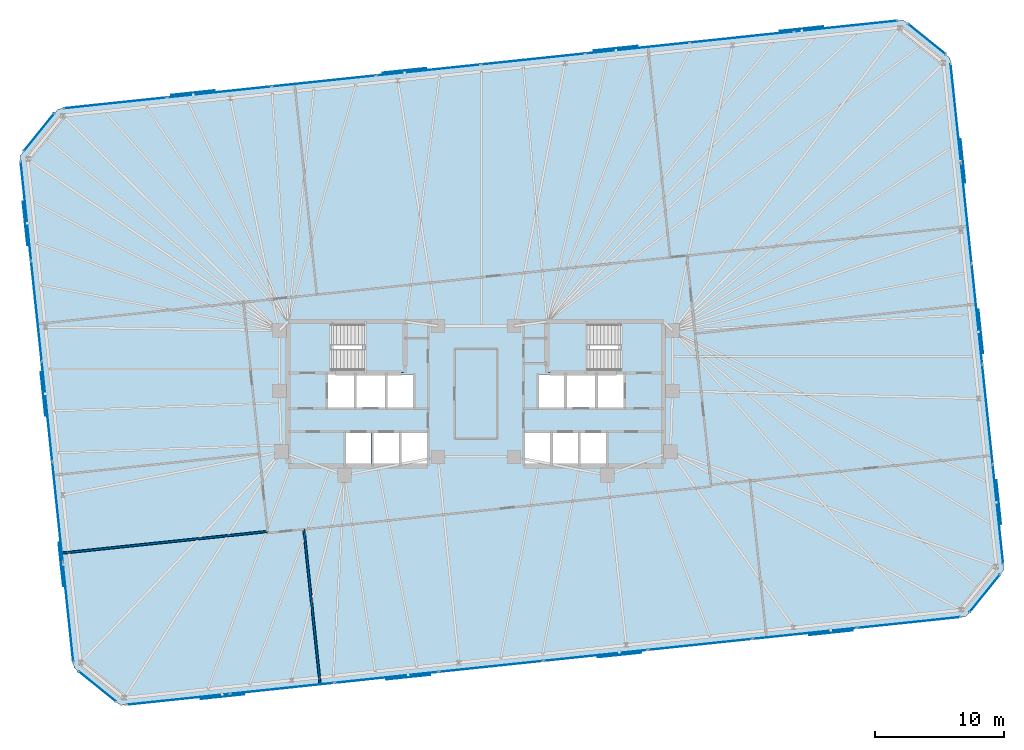
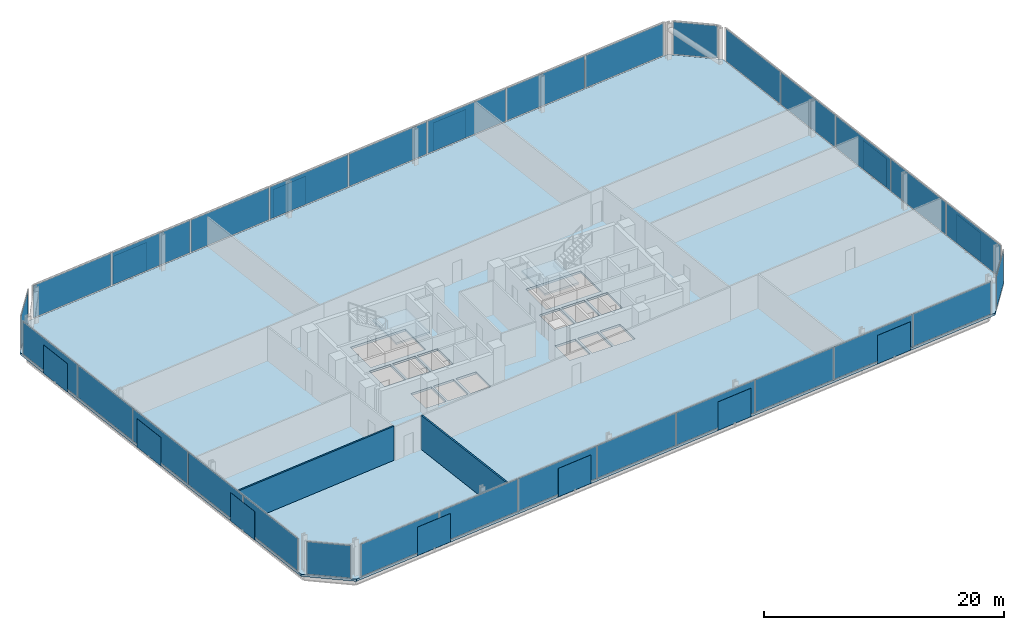
# One storey, part 13 of 18: 44 plates, 3 slabs, 2 walls, 10 elements without a shape of their own.
"""IFC4 building model written with IfcOpenShell, lengths in metres."""

from ifc_helpers import new_model, si_unit, direction, frame, frame_2d, origin, origin_2d, place, context, subcontext, project, spatial, polyline, rectangle, outline, extrude, material, layer, layer_set, type_object, element, aggregate, save


model = new_model("IFC4")

# Units and contexts
model_context = context("Model", 3, precision=1e-05, world=origin(), true_north=direction((0.0, 1.0)))
body_context = subcontext(model_context, "Body", "Model", "MODEL_VIEW")
ifc_project = project(units=[si_unit("LENGTHUNIT", "METRE"), si_unit("AREAUNIT", "SQUARE_METRE"), si_unit("VOLUMEUNIT", "CUBIC_METRE"), si_unit("PLANEANGLEUNIT", "RADIAN"), si_unit("MASSUNIT", "GRAM", prefix="KILO")], contexts=[model_context])

# Site, building, storey
site_placement = place(None, origin())
site = spatial("IfcSite", under=ifc_project, at=site_placement, CompositionType="ELEMENT")
building_placement = place(site_placement, origin())
building = spatial("IfcBuilding", under=site, at=building_placement, Name="Menara Jurai Vektor", CompositionType="ELEMENT")
storey_placement = place(building_placement, frame((0.0, 0.0, 91.10009765625)))
storey = spatial("IfcBuildingStorey", under=building, at=storey_placement, Name="L22", CompositionType="ELEMENT", Elevation=91.10009765625)

# Curtain wall, plates
ifc_material_1 = material(Name="Anodised Pale Aluminium & Low-E Double Glazing", Category="aluminium")
curtain_wall_type = type_object("IfcCurtainWallType", Name="CW-BLK2", PredefinedType="NOTDEFINED", material=ifc_material_1)
curtain_wall_1_placement = place(storey_placement, origin())
curtain_wall_1 = element("IfcCurtainWall", 1, at=curtain_wall_1_placement, inside=storey, type_object=curtain_wall_type, Name="Unitised Curtain Wall L22 F01", PredefinedType="NOTDEFINED")
ifc_material_2 = material(Name="Low-E Solar-Control Double Glazed Unit", Category="glass")
ifc_layer_1 = layer(ifc_material_2, 0.033935546875)
ifc_layer_set_1 = layer_set([ifc_layer_1], Name="Low-E Solar-Control Double Glazed Unit")
plate_type_1 = type_object("IfcPlateType", Name="CW-BLK2-PNL", PredefinedType="CURTAIN_PANEL", material=ifc_layer_set_1)
plate_1_placement = place(storey_placement, frame((-23.090087890625, -23.69921875, 0.08984375), z_axis=(0.0, 0.0, 1.0), x_axis=(0.994521877325, 0.104528634935, 0.0)))
plate_1 = element("IfcPlate", 2, at=plate_1_placement, type_object=plate_type_1, Name="CW-02 panel 1.1", PredefinedType="CURTAIN_PANEL", context=body_context, shape_type="SweptSolid", body=[
    extrude(rectangle(XDim=8.007568359375, YDim=0.033935546875, at=origin_2d()), origin(), (0.0, 0.0, 1.0), 3.294921875),
])
plate_2_placement = place(storey_placement, frame((-15.014404296875, -22.850341796875, 0.08984375), z_axis=(0.0, 0.0, 1.0), x_axis=(0.994521877325, 0.104528634935, 0.0)))
plate_2 = element("IfcPlate", 3, at=plate_2_placement, type_object=plate_type_1, Name="CW-02 panel 2.1", PredefinedType="CURTAIN_PANEL", context=body_context, shape_type="SweptSolid", body=[
    extrude(rectangle(XDim=8.052490234375, YDim=0.033935546875, at=origin_2d()), origin(), (0.0, 0.0, 1.0), 3.294921875),
])
plate_3_placement = place(storey_placement, frame((-6.91650390625, -21.999267578125, 0.08984375), z_axis=(0.0, 0.0, 1.0), x_axis=(0.994521877325, 0.104528634935, 0.0)))
plate_3 = element("IfcPlate", 4, at=plate_3_placement, type_object=plate_type_1, Name="CW-02 panel 3.1", PredefinedType="CURTAIN_PANEL", context=body_context, shape_type="SweptSolid", body=[
    extrude(rectangle(XDim=8.052490234375, YDim=0.033935546875, at=origin_2d()), origin(), (0.0, 0.0, 1.0), 3.294921875),
])
plate_4_placement = place(storey_placement, frame((1.181396484375, -21.148193359375, 0.08984375), z_axis=(0.0, 0.0, 1.0), x_axis=(0.994521877325, 0.104528634935, 0.0)))
plate_4 = element("IfcPlate", 5, at=plate_4_placement, type_object=plate_type_1, Name="CW-02 panel 4.1", PredefinedType="CURTAIN_PANEL", context=body_context, shape_type="SweptSolid", body=[
    extrude(rectangle(XDim=8.052490234375, YDim=0.033935546875, at=origin_2d()), origin(), (0.0, 0.0, 1.0), 3.294921875),
])
plate_5_placement = place(storey_placement, frame((9.279296875, -20.297119140625, 0.08984375), z_axis=(0.0, 0.0, 1.0), x_axis=(0.994521877325, 0.104528634935, 0.0)))
plate_5 = element("IfcPlate", 6, at=plate_5_placement, type_object=plate_type_1, Name="CW-02 panel 5.1", PredefinedType="CURTAIN_PANEL", context=body_context, shape_type="SweptSolid", body=[
    extrude(rectangle(XDim=8.052490234375, YDim=0.033935546875, at=origin_2d()), origin(), (0.0, 0.0, 1.0), 3.294921875),
])
plate_6_placement = place(storey_placement, frame((17.377197265625, -19.44580078125, 0.08984375), z_axis=(0.0, 0.0, 1.0), x_axis=(0.994521877325, 0.104528634935, 0.0)))
plate_6 = element("IfcPlate", 7, at=plate_6_placement, type_object=plate_type_1, Name="CW-02 panel 6.1", PredefinedType="CURTAIN_PANEL", context=body_context, shape_type="SweptSolid", body=[
    extrude(rectangle(XDim=8.052490234375, YDim=0.033935546875, at=origin_2d()), origin(), (0.0, 0.0, 1.0), 3.294921875),
])
plate_7_placement = place(storey_placement, frame((25.47509765625, -18.5947265625, 0.08984375), z_axis=(0.0, 0.0, 1.0), x_axis=(0.994521877325, 0.104528634935, 0.0)))
plate_7 = element("IfcPlate", 8, at=plate_7_placement, type_object=plate_type_1, Name="CW-02 panel 7.1", PredefinedType="CURTAIN_PANEL", context=body_context, shape_type="SweptSolid", body=[
    extrude(rectangle(XDim=8.052490234375, YDim=0.033935546875, at=origin_2d()), origin(), (0.0, 0.0, 1.0), 3.294921875),
])
plate_8_placement = place(storey_placement, frame((33.550537109375, -17.74609375, 0.08984375), z_axis=(0.0, 0.0, 1.0), x_axis=(0.994521877325, 0.104528634935, 0.0)))
plate_8 = element("IfcPlate", 9, at=plate_8_placement, type_object=plate_type_1, Name="CW-02 panel 8.1", PredefinedType="CURTAIN_PANEL", context=body_context, shape_type="SweptSolid", body=[
    extrude(rectangle(XDim=8.007568359375, YDim=0.033935546875, at=origin_2d()), origin(), (0.0, 0.0, 1.0), 3.294921875),
])
aggregate(curtain_wall_1, [plate_1, plate_2, plate_3, plate_4, plate_5, plate_6, plate_7, plate_8])

curtain_wall_2_placement = place(storey_placement, origin())
curtain_wall_2 = element("IfcCurtainWall", 10, at=curtain_wall_2_placement, inside=storey, type_object=curtain_wall_type, Name="Unitised Curtain Wall L22 F03", PredefinedType="NOTDEFINED")
plate_9_placement = place(storey_placement, frame((40.485595703125, -9.358642578125, 0.08984375), z_axis=(0.0, 0.0, 1.0), x_axis=(-0.104529576902, 0.99452177832, 0.0)))
plate_9 = element("IfcPlate", 11, at=plate_9_placement, type_object=plate_type_1, Name="CW-02 panel 1.1", PredefinedType="CURTAIN_PANEL", context=body_context, shape_type="SweptSolid", body=[
    extrude(rectangle(XDim=7.693115234375, YDim=0.033935546875, at=origin_2d()), origin(), (0.0, 0.0, 1.0), 3.294921875),
])
plate_10_placement = place(storey_placement, frame((39.669677734375, -1.595947265625, 0.08984375), z_axis=(0.0, 0.0, 1.0), x_axis=(-0.104529576902, 0.99452177832, 0.0)))
plate_10 = element("IfcPlate", 12, at=plate_10_placement, type_object=plate_type_1, Name="CW-02 panel 2.1", PredefinedType="CURTAIN_PANEL", context=body_context, shape_type="SweptSolid", body=[
    extrude(rectangle(XDim=7.738037109375, YDim=0.033935546875, at=origin_2d()), origin(), (0.0, 0.0, 1.0), 3.294921875),
])
plate_11_placement = place(storey_placement, frame((38.8515625, 6.189208984375, 0.08984375), z_axis=(0.0, 0.0, 1.0), x_axis=(-0.104529576902, 0.99452177832, 0.0)))
plate_11 = element("IfcPlate", 13, at=plate_11_placement, type_object=plate_type_1, Name="CW-02 panel 3.1", PredefinedType="CURTAIN_PANEL", context=body_context, shape_type="SweptSolid", body=[
    extrude(rectangle(XDim=7.738037109375, YDim=0.033935546875, at=origin_2d()), origin(), (0.0, 0.0, 1.0), 3.294921875),
])
plate_12_placement = place(storey_placement, frame((38.033203125, 13.974365234375, 0.08984375), z_axis=(0.0, 0.0, 1.0), x_axis=(-0.104529576902, 0.99452177832, 0.0)))
plate_12 = element("IfcPlate", 14, at=plate_12_placement, type_object=plate_type_1, Name="CW-02 panel 4.1", PredefinedType="CURTAIN_PANEL", context=body_context, shape_type="SweptSolid", body=[
    extrude(rectangle(XDim=7.738037109375, YDim=0.033935546875, at=origin_2d()), origin(), (0.0, 0.0, 1.0), 3.294921875),
])
plate_13_placement = place(storey_placement, frame((37.21728515625, 21.737060546875, 0.08984375), z_axis=(0.0, 0.0, 1.0), x_axis=(-0.104529576902, 0.99452177832, 0.0)))
plate_13 = element("IfcPlate", 15, at=plate_13_placement, type_object=plate_type_1, Name="CW-02 panel 5.1", PredefinedType="CURTAIN_PANEL", context=body_context, shape_type="SweptSolid", body=[
    extrude(rectangle(XDim=7.693115234375, YDim=0.033935546875, at=origin_2d()), origin(), (0.0, 0.0, 1.0), 3.294921875),
])
aggregate(curtain_wall_2, [plate_9, plate_10, plate_11, plate_12, plate_13])

curtain_wall_3_placement = place(storey_placement, origin())
curtain_wall_3 = element("IfcCurtainWall", 16, at=curtain_wall_3_placement, inside=storey, type_object=curtain_wall_type, Name="Unitised Curtain Wall L22 F05", PredefinedType="NOTDEFINED")
plate_14_placement = place(storey_placement, frame((28.68994140625, 28.499267578125, 0.08984375), z_axis=(0.0, 0.0, 1.0), x_axis=(-0.994521877325, -0.104528634935, 0.0)))
plate_14 = element("IfcPlate", 17, at=plate_14_placement, type_object=plate_type_1, Name="CW-02 panel 1.1", PredefinedType="CURTAIN_PANEL", context=body_context, shape_type="SweptSolid", body=[
    extrude(rectangle(XDim=8.007568359375, YDim=0.033935546875, at=origin_2d()), origin(), (0.0, 0.0, 1.0), 3.294921875),
])
plate_15_placement = place(storey_placement, frame((20.614501953125, 27.650390625, 0.08984375), z_axis=(0.0, 0.0, 1.0), x_axis=(-0.994521877325, -0.104528634935, 0.0)))
plate_15 = element("IfcPlate", 18, at=plate_15_placement, type_object=plate_type_1, Name="CW-02 panel 2.1", PredefinedType="CURTAIN_PANEL", context=body_context, shape_type="SweptSolid", body=[
    extrude(rectangle(XDim=8.052490234375, YDim=0.033935546875, at=origin_2d()), origin(), (0.0, 0.0, 1.0), 3.294921875),
])
plate_16_placement = place(storey_placement, frame((12.5166015625, 26.79931640625, 0.08984375), z_axis=(0.0, 0.0, 1.0), x_axis=(-0.994521877325, -0.104528634935, 0.0)))
plate_16 = element("IfcPlate", 19, at=plate_16_placement, type_object=plate_type_1, Name="CW-02 panel 3.1", PredefinedType="CURTAIN_PANEL", context=body_context, shape_type="SweptSolid", body=[
    extrude(rectangle(XDim=8.052490234375, YDim=0.033935546875, at=origin_2d()), origin(), (0.0, 0.0, 1.0), 3.294921875),
])
plate_17_placement = place(storey_placement, frame((4.418701171875, 25.9482421875, 0.08984375), z_axis=(0.0, 0.0, 1.0), x_axis=(-0.994521877325, -0.104528634935, 0.0)))
plate_17 = element("IfcPlate", 20, at=plate_17_placement, type_object=plate_type_1, Name="CW-02 panel 4.1", PredefinedType="CURTAIN_PANEL", context=body_context, shape_type="SweptSolid", body=[
    extrude(rectangle(XDim=8.052490234375, YDim=0.033935546875, at=origin_2d()), origin(), (0.0, 0.0, 1.0), 3.294921875),
])
plate_18_placement = place(storey_placement, frame((-3.67919921875, 25.096923828125, 0.08984375), z_axis=(0.0, 0.0, 1.0), x_axis=(-0.994521877325, -0.104528634935, 0.0)))
plate_18 = element("IfcPlate", 21, at=plate_18_placement, type_object=plate_type_1, Name="CW-02 panel 5.1", PredefinedType="CURTAIN_PANEL", context=body_context, shape_type="SweptSolid", body=[
    extrude(rectangle(XDim=8.052490234375, YDim=0.033935546875, at=origin_2d()), origin(), (0.0, 0.0, 1.0), 3.294921875),
])
plate_19_placement = place(storey_placement, frame((-11.777099609375, 24.245849609375, 0.08984375), z_axis=(0.0, 0.0, 1.0), x_axis=(-0.994521877325, -0.104528634935, 0.0)))
plate_19 = element("IfcPlate", 22, at=plate_19_placement, type_object=plate_type_1, Name="CW-02 panel 6.1", PredefinedType="CURTAIN_PANEL", context=body_context, shape_type="SweptSolid", body=[
    extrude(rectangle(XDim=8.052490234375, YDim=0.033935546875, at=origin_2d()), origin(), (0.0, 0.0, 1.0), 3.294921875),
])
plate_20_placement = place(storey_placement, frame((-19.875, 23.394775390625, 0.08984375), z_axis=(0.0, 0.0, 1.0), x_axis=(-0.994521877325, -0.104528634935, 0.0)))
plate_20 = element("IfcPlate", 23, at=plate_20_placement, type_object=plate_type_1, Name="CW-02 panel 7.1", PredefinedType="CURTAIN_PANEL", context=body_context, shape_type="SweptSolid", body=[
    extrude(rectangle(XDim=8.052490234375, YDim=0.033935546875, at=origin_2d()), origin(), (0.0, 0.0, 1.0), 3.294921875),
])
plate_21_placement = place(storey_placement, frame((-27.95068359375, 22.5458984375, 0.08984375), z_axis=(0.0, 0.0, 1.0), x_axis=(-0.994521877325, -0.104528634935, 0.0)))
plate_21 = element("IfcPlate", 24, at=plate_21_placement, type_object=plate_type_1, Name="CW-02 panel 8.1", PredefinedType="CURTAIN_PANEL", context=body_context, shape_type="SweptSolid", body=[
    extrude(rectangle(XDim=8.007568359375, YDim=0.033935546875, at=origin_2d()), origin(), (0.0, 0.0, 1.0), 3.294921875),
])
aggregate(curtain_wall_3, [plate_14, plate_15, plate_16, plate_17, plate_18, plate_19, plate_20, plate_21])

curtain_wall_4_placement = place(storey_placement, origin())
curtain_wall_4 = element("IfcCurtainWall", 25, at=curtain_wall_4_placement, inside=storey, type_object=curtain_wall_type, Name="Unitised Curtain Wall L22 F07", PredefinedType="NOTDEFINED")
plate_22_placement = place(storey_placement, frame((-34.885498046875, 14.15869140625, 0.08984375), z_axis=(0.0, 0.0, 1.0), x_axis=(0.104529576902, -0.99452177832, 0.0)))
plate_22 = element("IfcPlate", 26, at=plate_22_placement, type_object=plate_type_1, Name="CW-02 panel 1.1", PredefinedType="CURTAIN_PANEL", context=body_context, shape_type="SweptSolid", body=[
    extrude(rectangle(XDim=7.693115234375, YDim=0.033935546875, at=origin_2d()), origin(), (0.0, 0.0, 1.0), 3.294921875),
])
plate_23_placement = place(storey_placement, frame((-34.06982421875, 6.39599609375, 0.08984375), z_axis=(0.0, 0.0, 1.0), x_axis=(0.104529576902, -0.99452177832, 0.0)))
plate_23 = element("IfcPlate", 27, at=plate_23_placement, type_object=plate_type_1, Name="CW-02 panel 2.1", PredefinedType="CURTAIN_PANEL", context=body_context, shape_type="SweptSolid", body=[
    extrude(rectangle(XDim=7.738037109375, YDim=0.033935546875, at=origin_2d()), origin(), (0.0, 0.0, 1.0), 3.294921875),
])
plate_24_placement = place(storey_placement, frame((-33.25146484375, -1.38916015625, 0.08984375), z_axis=(0.0, 0.0, 1.0), x_axis=(0.104529576902, -0.99452177832, 0.0)))
plate_24 = element("IfcPlate", 28, at=plate_24_placement, type_object=plate_type_1, Name="CW-02 panel 3.1", PredefinedType="CURTAIN_PANEL", context=body_context, shape_type="SweptSolid", body=[
    extrude(rectangle(XDim=7.738037109375, YDim=0.033935546875, at=origin_2d()), origin(), (0.0, 0.0, 1.0), 3.294921875),
])
plate_25_placement = place(storey_placement, frame((-32.43310546875, -9.17431640625, 0.08984375), z_axis=(0.0, 0.0, 1.0), x_axis=(0.104529576902, -0.99452177832, 0.0)))
plate_25 = element("IfcPlate", 29, at=plate_25_placement, type_object=plate_type_1, Name="CW-02 panel 4.1", PredefinedType="CURTAIN_PANEL", context=body_context, shape_type="SweptSolid", body=[
    extrude(rectangle(XDim=7.738037109375, YDim=0.033935546875, at=origin_2d()), origin(), (0.0, 0.0, 1.0), 3.294921875),
])
plate_26_placement = place(storey_placement, frame((-31.6171875, -16.93701171875, 0.08984375), z_axis=(0.0, 0.0, 1.0), x_axis=(0.104529576902, -0.99452177832, 0.0)))
plate_26 = element("IfcPlate", 30, at=plate_26_placement, type_object=plate_type_1, Name="CW-02 panel 5.1", PredefinedType="CURTAIN_PANEL", context=body_context, shape_type="SweptSolid", body=[
    extrude(rectangle(XDim=7.693115234375, YDim=0.033935546875, at=origin_2d()), origin(), (0.0, 0.0, 1.0), 3.294921875),
])
aggregate(curtain_wall_4, [plate_22, plate_23, plate_24, plate_25, plate_26])

# Curtain wall, plate
curtain_wall_5_placement = place(storey_placement, origin())
curtain_wall_5 = element("IfcCurtainWall", 31, at=curtain_wall_5_placement, inside=storey, type_object=curtain_wall_type, Name="Unitised Curtain Wall L22 F02", PredefinedType="NOTDEFINED")
ifc_material_3 = material(Name="Insulated Pale Aluminium Spandrel Panel", Category="aluminium")
ifc_layer_2 = layer(ifc_material_3, 0.06005859375)
ifc_layer_set_2 = layer_set([ifc_layer_2], Name="Insulated Pale Aluminium Spandrel Panel")
plate_type_2 = type_object("IfcPlateType", Name="CW-PNL-SP", PredefinedType="CURTAIN_PANEL", material=ifc_layer_set_2)
plate_27_placement = place(storey_placement, frame((39.46826171875, -15.465087890625, 0.08984375), z_axis=(0.0, 0.0, 1.0), x_axis=(0.62934106172, 0.777129222223, 0.0)))
plate_27 = element("IfcPlate", 32, at=plate_27_placement, type_object=plate_type_2, Name="CW-02 panel 1.1", PredefinedType="CURTAIN_PANEL", context=body_context, shape_type="SweptSolid", body=[
    extrude(rectangle(XDim=3.72705078125, YDim=0.06005859375, at=origin_2d()), origin(), (0.0, 0.0, 1.0), 3.294921875),
])
aggregate(curtain_wall_5, [plate_27])

curtain_wall_6_placement = place(storey_placement, origin())
curtain_wall_6 = element("IfcCurtainWall", 33, at=curtain_wall_6_placement, inside=storey, type_object=curtain_wall_type, Name="Unitised Curtain Wall L22 F04", PredefinedType="NOTDEFINED")
plate_28_placement = place(storey_placement, frame((34.95263671875, 27.498291015625, 0.08984375), z_axis=(0.0, 0.0, 1.0), x_axis=(-0.777151877437, 0.629313085353, 0.0)))
plate_28 = element("IfcPlate", 34, at=plate_28_placement, type_object=plate_type_2, Name="CW-02 panel 1.1", PredefinedType="CURTAIN_PANEL", context=body_context, shape_type="SweptSolid", body=[
    extrude(rectangle(XDim=3.72705078125, YDim=0.06005859375, at=origin_2d()), origin(), (0.0, 0.0, 1.0), 3.294921875),
])
aggregate(curtain_wall_6, [plate_28])

curtain_wall_7_placement = place(storey_placement, origin())
curtain_wall_7 = element("IfcCurtainWall", 35, at=curtain_wall_7_placement, inside=storey, type_object=curtain_wall_type, Name="Unitised Curtain Wall L22 F06", PredefinedType="NOTDEFINED")
plate_29_placement = place(storey_placement, frame((-33.868408203125, 20.264892578125, 0.08984375), z_axis=(0.0, 0.0, 1.0), x_axis=(-0.62934106172, -0.777129222223, 0.0)))
plate_29 = element("IfcPlate", 36, at=plate_29_placement, type_object=plate_type_2, Name="CW-02 panel 1.1", PredefinedType="CURTAIN_PANEL", context=body_context, shape_type="SweptSolid", body=[
    extrude(rectangle(XDim=3.72705078125, YDim=0.06005859375, at=origin_2d()), origin(), (0.0, 0.0, 1.0), 3.294921875),
])
aggregate(curtain_wall_7, [plate_29])

curtain_wall_8_placement = place(storey_placement, origin())
curtain_wall_8 = element("IfcCurtainWall", 37, at=curtain_wall_8_placement, inside=storey, type_object=curtain_wall_type, Name="Unitised Curtain Wall L22 F08", PredefinedType="NOTDEFINED")
plate_30_placement = place(storey_placement, frame((-29.3525390625, -22.6982421875, 0.08984375), z_axis=(0.0, 0.0, 1.0), x_axis=(0.777151877437, -0.629313085353, 0.0)))
plate_30 = element("IfcPlate", 38, at=plate_30_placement, type_object=plate_type_2, Name="CW-02 panel 1.1", PredefinedType="CURTAIN_PANEL", context=body_context, shape_type="SweptSolid", body=[
    extrude(rectangle(XDim=3.72705078125, YDim=0.06005859375, at=origin_2d()), origin(), (0.0, 0.0, 1.0), 3.294921875),
])
aggregate(curtain_wall_8, [plate_30])

# Plates
ifc_material_4 = material(Name="Anodised Pale Aluminium Perforated Screen", Category="aluminium")
ifc_layer_3 = layer(ifc_material_4, 0.02392578125)
ifc_layer_set_3 = layer_set([ifc_layer_3], Name="Anodised Pale Aluminium Perforated Screen")
plate_type_3 = type_object("IfcPlateType", Name="ENV-PLT-SCREEN", PredefinedType="USERDEFINED", material=ifc_layer_set_3)
for number, where, z_axis, x_axis, name in (
    (39, (-19.65771484375, -23.499267578125, -0.050048828125), (0.0, 0.0, 1.0), (0.994521895368, 0.104528463268, 0.0), "Perforated Pale-Metal Solar Screen L22-S01"),
    (40, (-5.2392578125, -21.98388671875, -0.050048828125), (0.0, 0.0, 1.0), (0.994521895368, 0.104528463268, 0.0), "Perforated Pale-Metal Solar Screen L22-S02"),
    (41, (11.1455078125, -20.26171875, -0.050048828125), (0.0, 0.0, 1.0), (0.994521895368, 0.104528463268, 0.0), "Perforated Pale-Metal Solar Screen L22-S03"),
    (42, (27.5302734375, -18.539794921875, -0.050048828125), (0.0, 0.0, 1.0), (0.994521895368, 0.104528463268, 0.0), "Perforated Pale-Metal Solar Screen L22-S04"),
    (43, (40.546875, -8.41015625, -0.050048828125), (0.0, 0.0, 1.0), (-0.104528463268, 0.994521895368, 0.0), "Perforated Pale-Metal Solar Screen L22-S05"),
    (44, (39.156494140625, 4.81689453125, -0.050048828125), (0.0, 0.0, 1.0), (-0.104528463268, 0.994521895368, 0.0), "Perforated Pale-Metal Solar Screen L22-S06"),
    (45, (37.766357421875, 18.044189453125, -0.050048828125), (0.0, 0.0, 1.0), (-0.104528463268, 0.994521895368, 0.0), "Perforated Pale-Metal Solar Screen L22-S07"),
    (46, (25.2578125, 28.29931640625, -0.050048828125), (0.0, 0.0, 1.0), (-0.994521895368, -0.104528463268, 0.0), "Perforated Pale-Metal Solar Screen L22-S08"),
    (47, (10.839111328125, 26.783935546875, -0.050048828125), (0.0, 0.0, 1.0), (-0.994521895368, -0.104528463268, 0.0), "Perforated Pale-Metal Solar Screen L22-S09"),
    (48, (-5.54541015625, 25.061767578125, -0.050048828125), (0.0, 0.0, 1.0), (-0.994521895368, -0.104528463268, 0.0), "Perforated Pale-Metal Solar Screen L22-S10"),
    (49, (-21.930419921875, 23.339599609375, -0.050048828125), (0.0, 0.0, 1.0), (-0.994521895368, -0.104528463268, 0.0), "Perforated Pale-Metal Solar Screen L22-S11"),
    (50, (-34.94677734375, 13.210205078125, -0.050048828125), (0.0, 0.0, 1.0), (0.104528463268, -0.994521895368, 0.0), "Perforated Pale-Metal Solar Screen L22-S12"),
    (51, (-33.556396484375, -0.01708984375, -0.050048828125), (0.0, 0.0, 1.0), (0.104528463268, -0.994521895368, 0.0), "Perforated Pale-Metal Solar Screen L22-S13"),
    (52, (-32.166259765625, -13.244140625, -0.050048828125), (0.0, 0.0, 1.0), (0.104528463268, -0.994521895368, 0.0), "Perforated Pale-Metal Solar Screen L22-S14"),
):
    element("IfcPlate", number, at=place(storey_placement, frame(where, z_axis=z_axis, x_axis=x_axis)), inside=storey, type_object=plate_type_3, Name=name, ObjectType="SCREEN", PredefinedType="USERDEFINED", context=body_context, shape_type="SweptSolid", body=[
        extrude(rectangle(XDim=3.39990234375, YDim=0.02392578125, at=origin_2d()), origin(), (0.0, 0.0, 1.0), 2.89990234375),
    ])

# Stair, slab
ifc_material_5 = material(Name="Concrete C40/50", Category="concrete")
stair_type = type_object("IfcStairType", Name="STAIR-DOGLEG-1500", PredefinedType="HALF_TURN_STAIR", material=ifc_material_5)
stair_1_placement = place(storey_placement, origin())
stair_1 = element("IfcStair", 53, at=stair_1_placement, inside=storey, type_object=stair_type, Name="Protected Exit Stair ST1 L22", PredefinedType="HALF_TURN_STAIR")
ifc_layer_4 = layer(ifc_material_5, 0.199951171875)
ifc_layer_set_4 = layer_set([ifc_layer_4], Name="Concrete C40/50")
slab_type_1 = type_object("IfcSlabType", Name="STAIR-LANDING-200", PredefinedType="LANDING", material=ifc_layer_set_4)
slab_1_placement = place(storey_placement, frame((0.0, 0.0, 1.64990234375)))
slab_1 = element("IfcSlab", 54, at=slab_1_placement, type_object=slab_type_1, Name="ST1 landing 1", PredefinedType="LANDING", context=body_context, shape_type="SweptSolid", body=[
    extrude(outline(polyline([(-8.800048828125, 1.64990234375), (-5.550048828125, 1.64990234375), (-5.550048828125, 5.550048828125), (-8.800048828125, 5.550048828125), (-8.800048828125, 1.64990234375)])), origin(), (0.0, 0.0, 1.0), 0.199951171875),
])
aggregate(stair_1, [slab_1])

stair_2_placement = place(storey_placement, origin())
stair_2 = element("IfcStair", 55, at=stair_2_placement, inside=storey, type_object=stair_type, Name="Protected Exit Stair ST2 L22", PredefinedType="HALF_TURN_STAIR")
slab_2_placement = place(storey_placement, frame((0.0, 0.0, 1.64990234375)))
slab_2 = element("IfcSlab", 56, at=slab_2_placement, type_object=slab_type_1, Name="ST2 landing 1", PredefinedType="LANDING", context=body_context, shape_type="SweptSolid", body=[
    extrude(outline(polyline([(5.550048828125, 1.64990234375), (8.800048828125, 1.64990234375), (8.800048828125, 5.550048828125), (5.550048828125, 5.550048828125), (5.550048828125, 1.64990234375)])), origin(), (0.0, 0.0, 1.0), 0.199951171875),
])
aggregate(stair_2, [slab_2])

# Slab
ifc_layer_5 = layer(ifc_material_5, 0.22509765625)
ifc_layer_set_5 = layer_set([ifc_layer_5], Name="Concrete C40/50")
slab_type_2 = type_object("IfcSlabType", Name="STR-SLAB-TYP200", PredefinedType="FLOOR", material=ifc_layer_set_5)
slab_3_placement = place(storey_placement, frame((0.0, 0.0, -0.22509765625)))
element("IfcSlab", 57, at=slab_3_placement, inside=storey, type_object=slab_type_2, Name="Composite Floor Slab L22", PredefinedType="FLOOR", context=body_context, shape_type="SweptSolid", body=[
    extrude(outline(polyline([(-27.539306640625, -24.166748046875), (37.999755859375, -17.2783203125), (40.936767578125, -13.651611328125), (36.76611328125, 26.02978515625), (33.13916015625, 28.966796875), (-32.39990234375, 22.078369140625), (-35.3369140625, 18.45166015625), (-31.166015625, -21.22998046875), (-27.539306640625, -24.166748046875)]), holes=[polyline([(-11.10009765625, 1.89990234375), (-11.10009765625, 5.300048828125), (-5.800048828125, 5.300048828125), (-5.800048828125, 1.89990234375), (-11.10009765625, 1.89990234375)]), polyline([(5.800048828125, 1.89990234375), (5.800048828125, 5.300048828125), (11.10009765625, 5.300048828125), (11.10009765625, 1.89990234375), (5.800048828125, 1.89990234375)]), polyline([(-11.449951171875, -1.050048828125), (-11.449951171875, 1.5), (-9.449951171875, 1.5), (-9.449951171875, -1.050048828125), (-11.449951171875, -1.050048828125)]), polyline([(9.449951171875, -1.050048828125), (9.449951171875, 1.5), (11.449951171875, 1.5), (11.449951171875, -1.050048828125), (9.449951171875, -1.050048828125)]), polyline([(-5.760009765625, -5.5), (-5.760009765625, -3.050048828125), (-3.800048828125, -3.050048828125), (-3.800048828125, -5.5), (-5.760009765625, -5.5)]), polyline([(-6.85009765625, -1.050048828125), (-6.85009765625, 1.5), (-4.889892578125, 1.5), (-4.889892578125, -1.050048828125), (-6.85009765625, -1.050048828125)]), polyline([(3.800048828125, -5.5), (3.800048828125, -3.050048828125), (5.760009765625, -3.050048828125), (5.760009765625, -5.5), (3.800048828125, -5.5)]), polyline([(4.889892578125, -1.050048828125), (4.889892578125, 1.5), (6.85009765625, 1.5), (6.85009765625, -1.050048828125), (4.889892578125, -1.050048828125)]), polyline([(-10.080078125, -5.5), (-10.080078125, -3.050048828125), (-8.1201171875, -3.050048828125), (-8.1201171875, -5.5), (-10.080078125, -5.5)]), polyline([(-7.919921875, -5.5), (-7.919921875, -3.050048828125), (-5.9599609375, -3.050048828125), (-5.9599609375, -5.5), (-7.919921875, -5.5)]), polyline([(5.9599609375, -5.5), (5.9599609375, -3.050048828125), (7.919921875, -3.050048828125), (7.919921875, -5.5), (5.9599609375, -5.5)]), polyline([(8.1201171875, -5.5), (8.1201171875, -3.050048828125), (10.080078125, -3.050048828125), (10.080078125, -5.5), (8.1201171875, -5.5)]), polyline([(-9.25, -1.050048828125), (-9.25, 1.5), (-7.050048828125, 1.5), (-7.050048828125, -1.050048828125), (-9.25, -1.050048828125)]), polyline([(7.050048828125, -1.050048828125), (7.050048828125, 1.5), (9.25, 1.5), (9.25, -1.050048828125), (7.050048828125, -1.050048828125)])]), origin(), (0.0, 0.0, 1.0), 0.22509765625),
])

# Walls
ifc_material_6 = material(Name="Gypsum Fireboard Partition", Category="gypsum")
ifc_layer_6 = layer(ifc_material_6, 0.14990234375)
ifc_layer_set_6 = layer_set([ifc_layer_6], Name="Gypsum Fireboard Partition")
wall_type = type_object("IfcWallType", Name="INT-WALL-CORR-150", PredefinedType="PARTITIONING", material=ifc_layer_set_6)
wall_1_placement = place(storey_placement, frame((-12.074462890625, -22.54150390625, 0.0), z_axis=(0.0, 0.0, 1.0), x_axis=(-0.104515587229, 0.99452324861, 0.0)))
element("IfcWall", 58, at=wall_1_placement, inside=storey, type_object=wall_type, Name="Interior Wall IW-150 L22", PredefinedType="PARTITIONING", context=body_context, shape_type="SweptSolid", body=[
    extrude(rectangle(XDim=12.093017578125, YDim=0.14990234375, at=frame_2d((6.04638671875, 0.0))), origin(), (0.0, 0.0, 1.0), 3.474853515625),
])
wall_2_placement = place(storey_placement, frame((-32.0986328125, -12.357666015625, 0.0), z_axis=(0.0, 0.0, 1.0), x_axis=(0.994522794159, 0.104519911488, 0.0)))
element("IfcWall", 59, at=wall_2_placement, inside=storey, type_object=wall_type, Name="Interior Wall IW-150 L22", PredefinedType="PARTITIONING", context=body_context, shape_type="SweptSolid", body=[
    extrude(rectangle(XDim=16.033203125, YDim=0.14990234375, at=frame_2d((8.0166015625, 0.0))), origin(), (0.0, 0.0, 1.0), 3.474853515625),
])

save(model, "model.ifc")
